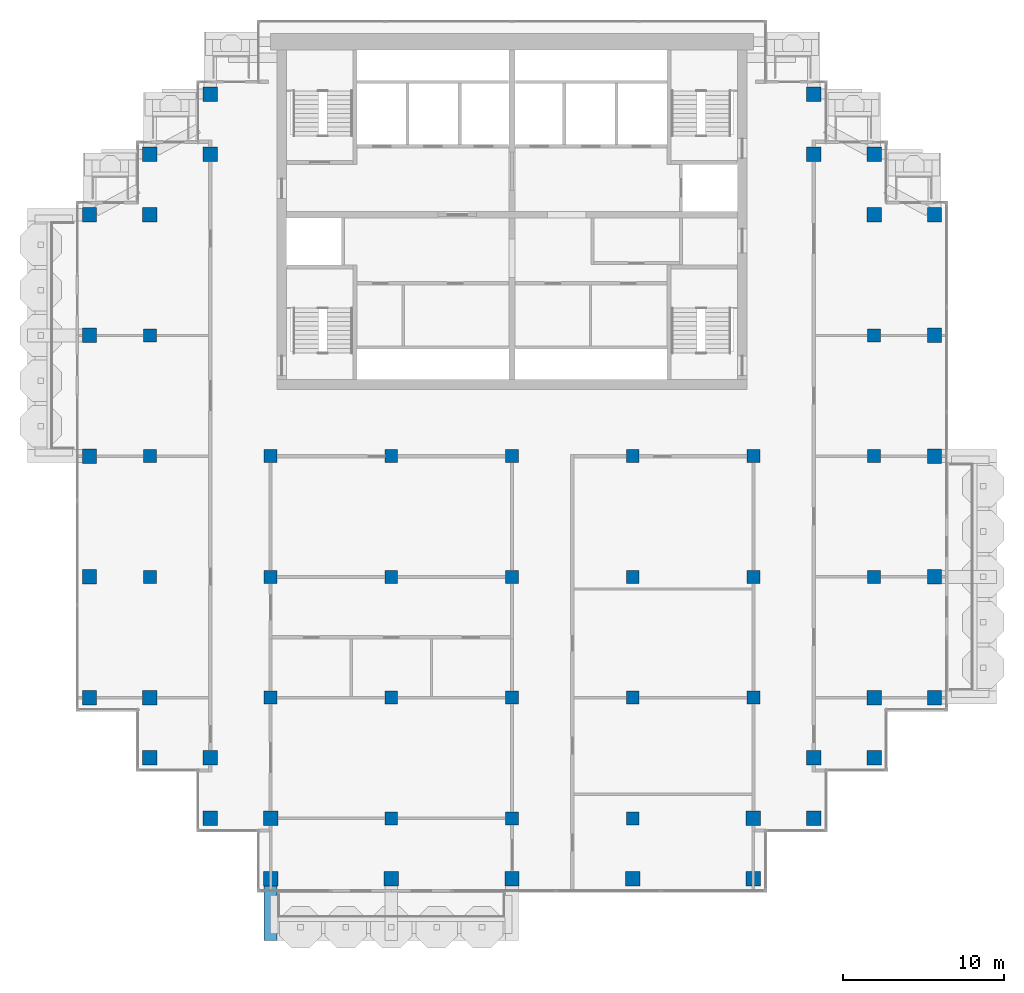
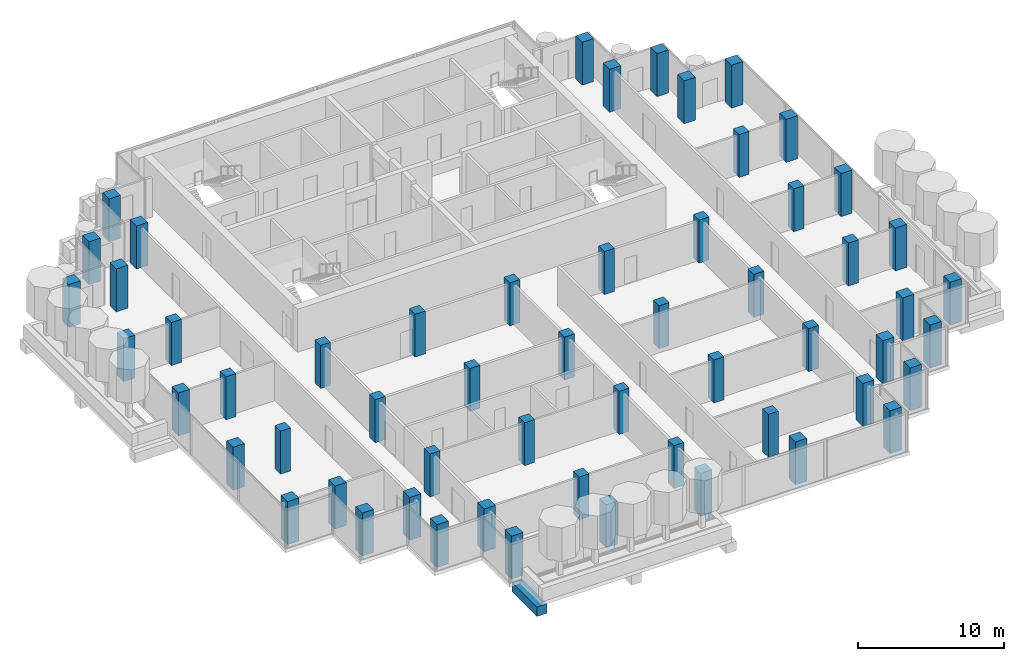
# One storey, part 1 of 18: 57 columns, 1 beam.
"""IFC4 building model written with IfcOpenShell, lengths in metres."""

from ifc_helpers import new_model, si_unit, direction, frame, origin, origin_2d, place, context, subcontext, project, spatial, rectangle, extrude, material, material_profile, profile_set, type_object, element, save


model = new_model("IFC4")

# Units and contexts
model_context = context("Model", 3, precision=1e-05, world=origin(), true_north=direction((0.0, 1.0)))
body_context = subcontext(model_context, "Body", "Model", "MODEL_VIEW")
ifc_project = project(units=[si_unit("LENGTHUNIT", "METRE"), si_unit("AREAUNIT", "SQUARE_METRE"), si_unit("VOLUMEUNIT", "CUBIC_METRE"), si_unit("PLANEANGLEUNIT", "RADIAN"), si_unit("MASSUNIT", "GRAM", prefix="KILO")], contexts=[model_context])

# Site, building, storey
site_placement = place(None, origin())
site = spatial("IfcSite", under=ifc_project, at=site_placement, CompositionType="ELEMENT")
building_placement = place(site_placement, origin())
building = spatial("IfcBuilding", under=site, at=building_placement, Name="Pilkhan Gate Tower", CompositionType="ELEMENT")
storey_placement = place(building_placement, frame((0.0, 0.0, 242.699951171875)))
storey = spatial("IfcBuildingStorey", under=building, at=storey_placement, Name="L63", CompositionType="ELEMENT", Elevation=242.699951171875)

# Columns
ifc_material = material(Name="Concrete C50/60", Category="concrete")
ifc_material_profile_1 = material_profile(ifc_material, rectangle(XDim=0.800048828125, YDim=0.800048828125, at=origin_2d()), Name="RC 800x800")
ifc_profile_set_1 = profile_set([ifc_material_profile_1], Name="Concrete C50/60")
column_type_1 = type_object("IfcColumnType", Name="Column C80 RC 800x800 C50/60", PredefinedType="COLUMN", material=ifc_profile_set_1)
for number, where, z_axis, x_axis, name in (
    (1, (52.5, 60.0, 0.0), (0.0, 0.0, 1.0), (1.0, 0.0, 0.0), "Column 5/F L63"),
    (2, (52.5, 67.5, 0.0), (0.0, 0.0, 1.0), (1.0, 0.0, 0.0), "Column 5/H L63"),
    (3, (52.5, 75.0, 0.0), (0.0, 0.0, 1.0), (1.0, 0.0, 0.0), "Column 5/K L63"),
    (4, (60.0, 52.5, 0.0), (0.0, 0.0, 1.0), (1.0, 0.0, 0.0), "Column 7/D L63"),
    (5, (60.0, 60.0, 0.0), (0.0, 0.0, 1.0), (1.0, 0.0, 0.0), "Column 7/F L63"),
    (6, (60.0, 67.5, 0.0), (0.0, 0.0, 1.0), (1.0, 0.0, 0.0), "Column 7/H L63"),
    (7, (67.5, 45.0, 0.0), (0.0, 0.0, 1.0), (1.0, 0.0, 0.0), "Column 9/B L63"),
    (8, (67.5, 52.5, 0.0), (0.0, 0.0, 1.0), (1.0, 0.0, 0.0), "Column 9/D L63"),
    (9, (67.5, 60.0, 0.0), (0.0, 0.0, 1.0), (1.0, 0.0, 0.0), "Column 9/F L63"),
    (10, (67.5, 67.5, 0.0), (0.0, 0.0, 1.0), (1.0, 0.0, 0.0), "Column 9/H L63"),
    (11, (75.0, 45.0, 0.0), (0.0, 0.0, 1.0), (1.0, 0.0, 0.0), "Column 11/B L63"),
    (12, (75.0, 52.5, 0.0), (0.0, 0.0, 1.0), (1.0, 0.0, 0.0), "Column 11/D L63"),
    (13, (75.0, 60.0, 0.0), (0.0, 0.0, 1.0), (1.0, 0.0, 0.0), "Column 11/F L63"),
    (14, (75.0, 67.5, 0.0), (0.0, 0.0, 1.0), (1.0, 0.0, 0.0), "Column 11/H L63"),
    (15, (82.5, 45.0, 0.0), (0.0, 0.0, 1.0), (1.0, 0.0, 0.0), "Column 13/B L63"),
    (16, (82.5, 52.5, 0.0), (0.0, 0.0, 1.0), (1.0, 0.0, 0.0), "Column 13/D L63"),
    (17, (82.5, 60.0, 0.0), (0.0, 0.0, 1.0), (1.0, 0.0, 0.0), "Column 13/F L63"),
    (18, (82.5, 67.5, 0.0), (0.0, 0.0, 1.0), (1.0, 0.0, 0.0), "Column 13/H L63"),
    (19, (90.0, 52.5, 0.0), (0.0, 0.0, 1.0), (1.0, 0.0, 0.0), "Column 15/D L63"),
    (20, (90.0, 60.0, 0.0), (0.0, 0.0, 1.0), (1.0, 0.0, 0.0), "Column 15/F L63"),
    (21, (90.0, 67.5, 0.0), (0.0, 0.0, 1.0), (1.0, 0.0, 0.0), "Column 15/H L63"),
    (22, (97.5, 60.0, 0.0), (0.0, 0.0, 1.0), (1.0, 0.0, 0.0), "Column 17/F L63"),
    (23, (97.5, 67.5, 0.0), (0.0, 0.0, 1.0), (1.0, 0.0, 0.0), "Column 17/H L63"),
    (24, (97.5, 75.0, 0.0), (0.0, 0.0, 1.0), (1.0, 0.0, 0.0), "Column 17/K L63"),
):
    element("IfcColumn", number, at=place(storey_placement, frame(where, z_axis=z_axis, x_axis=x_axis)), inside=storey, type_object=column_type_1, Name=name, PredefinedType="COLUMN", context=body_context, shape_type="SweptSolid", body=[
        extrude(rectangle(XDim=0.800048828125, YDim=0.800048828125, at=origin_2d()), origin(), (0.0, 0.0, 1.0), 3.60009765625),
    ])
ifc_material_profile_2 = material_profile(ifc_material, rectangle(XDim=0.89990234375, YDim=0.89990234375, at=origin_2d()), Name="RC 900x900")
ifc_profile_set_2 = profile_set([ifc_material_profile_2], Name="Concrete C50/60")
column_type_2 = type_object("IfcColumnType", Name="Column C90 RC 900x900 C50/60", PredefinedType="COLUMN", material=ifc_profile_set_2)
for number, where, z_axis, x_axis, name in (
    (25, (48.75, 52.5, 0.0), (0.0, 0.0, 1.0), (1.0, 0.0, 0.0), "Column 4/D L63"),
    (26, (48.75, 60.0, 0.0), (0.0, 0.0, 1.0), (1.0, 0.0, 0.0), "Column 4/F L63"),
    (27, (48.75, 67.5, 0.0), (0.0, 0.0, 1.0), (1.0, 0.0, 0.0), "Column 4/H L63"),
    (28, (48.75, 75.0, 0.0), (0.0, 0.0, 1.0), (1.0, 0.0, 0.0), "Column 4/K L63"),
    (29, (48.75, 82.5, 0.0), (0.0, 0.0, 1.0), (1.0, 0.0, 0.0), "Column 4/M L63"),
    (30, (52.5, 48.75, 0.0), (0.0, 0.0, 1.0), (1.0, 0.0, 0.0), "Column 5/C L63"),
    (31, (52.5, 52.5, 0.0), (0.0, 0.0, 1.0), (1.0, 0.0, 0.0), "Column 5/D L63"),
    (32, (52.5, 82.5, 0.0), (0.0, 0.0, 1.0), (1.0, 0.0, 0.0), "Column 5/M L63"),
    (33, (52.5, 86.25, 0.0), (0.0, 0.0, 1.0), (1.0, 0.0, 0.0), "Column 5/N L63"),
    (34, (56.25, 45.0, 0.0), (0.0, 0.0, 1.0), (1.0, 0.0, 0.0), "Column 6/B L63"),
    (35, (56.25, 48.75, 0.0), (0.0, 0.0, 1.0), (1.0, 0.0, 0.0), "Column 6/C L63"),
    (36, (56.25, 86.25, 0.0), (0.0, 0.0, 1.0), (1.0, 0.0, 0.0), "Column 6/N L63"),
    (37, (56.25, 90.0, 0.0), (0.0, 0.0, 1.0), (1.0, 0.0, 0.0), "Column 6/P L63"),
    (38, (60.0, 41.25, 0.0), (0.0, 0.0, 1.0), (1.0, 0.0, 0.0), "Column 7/A L63"),
    (39, (60.0, 45.0, 0.0), (0.0, 0.0, 1.0), (1.0, 0.0, 0.0), "Column 7/B L63"),
    (40, (67.5, 41.25, 0.0), (0.0, 0.0, 1.0), (1.0, 0.0, 0.0), "Column 9/A L63"),
    (41, (75.0, 41.25, 0.0), (0.0, 0.0, 1.0), (1.0, 0.0, 0.0), "Column 11/A L63"),
    (42, (82.5, 41.25, 0.0), (0.0, 0.0, 1.0), (1.0, 0.0, 0.0), "Column 13/A L63"),
    (43, (90.0, 41.25, 0.0), (0.0, 0.0, 1.0), (1.0, 0.0, 0.0), "Column 15/A L63"),
    (44, (90.0, 45.0, 0.0), (0.0, 0.0, 1.0), (1.0, 0.0, 0.0), "Column 15/B L63"),
    (45, (93.75, 45.0, 0.0), (0.0, 0.0, 1.0), (1.0, 0.0, 0.0), "Column 16/B L63"),
    (46, (93.75, 48.75, 0.0), (0.0, 0.0, 1.0), (1.0, 0.0, 0.0), "Column 16/C L63"),
    (47, (93.75, 86.25, 0.0), (0.0, 0.0, 1.0), (1.0, 0.0, 0.0), "Column 16/N L63"),
    (48, (93.75, 90.0, 0.0), (0.0, 0.0, 1.0), (1.0, 0.0, 0.0), "Column 16/P L63"),
    (49, (97.5, 48.75, 0.0), (0.0, 0.0, 1.0), (1.0, 0.0, 0.0), "Column 17/C L63"),
    (50, (97.5, 52.5, 0.0), (0.0, 0.0, 1.0), (1.0, 0.0, 0.0), "Column 17/D L63"),
    (51, (97.5, 82.5, 0.0), (0.0, 0.0, 1.0), (1.0, 0.0, 0.0), "Column 17/M L63"),
    (52, (97.5, 86.25, 0.0), (0.0, 0.0, 1.0), (1.0, 0.0, 0.0), "Column 17/N L63"),
    (53, (101.25, 52.5, 0.0), (0.0, 0.0, 1.0), (1.0, 0.0, 0.0), "Column 18/D L63"),
    (54, (101.25, 60.0, 0.0), (0.0, 0.0, 1.0), (1.0, 0.0, 0.0), "Column 18/F L63"),
    (55, (101.25, 67.5, 0.0), (0.0, 0.0, 1.0), (1.0, 0.0, 0.0), "Column 18/H L63"),
    (56, (101.25, 75.0, 0.0), (0.0, 0.0, 1.0), (1.0, 0.0, 0.0), "Column 18/K L63"),
    (57, (101.25, 82.5, 0.0), (0.0, 0.0, 1.0), (1.0, 0.0, 0.0), "Column 18/M L63"),
):
    element("IfcColumn", number, at=place(storey_placement, frame(where, z_axis=z_axis, x_axis=x_axis)), inside=storey, type_object=column_type_2, Name=name, PredefinedType="COLUMN", context=body_context, shape_type="SweptSolid", body=[
        extrude(rectangle(XDim=0.89990234375, YDim=0.89990234375, at=origin_2d()), origin(), (0.0, 0.0, 1.0), 3.60009765625),
    ])

# Beam
ifc_material_profile_3 = material_profile(ifc_material, rectangle(XDim=0.800048828125, YDim=0.800048828125, at=origin_2d()), Name="RC 800x800")
ifc_profile_set_3 = profile_set([ifc_material_profile_3], Name="Concrete C50/60")
beam_type = type_object("IfcBeamType", Name="Cantilever beam CB2 RC 800x800 C50/60", PredefinedType="BEAM", material=ifc_profile_set_3)
beam_placement = place(storey_placement, frame((60.0, 40.800048828125, -0.699951171875), z_axis=(0.0, -1.0, 0.0), x_axis=(1.0, 0.0, 0.0)))
element("IfcBeam", 58, at=beam_placement, inside=storey, type_object=beam_type, Name="Balcony beam S.1 L63", PredefinedType="BEAM", context=body_context, shape_type="SweptSolid", body=[
    extrude(rectangle(XDim=0.800048828125, YDim=0.800048828125, at=origin_2d()), origin(), (0.0, 0.0, 1.0), 3.400146484375),
])

save(model, "model.ifc")
